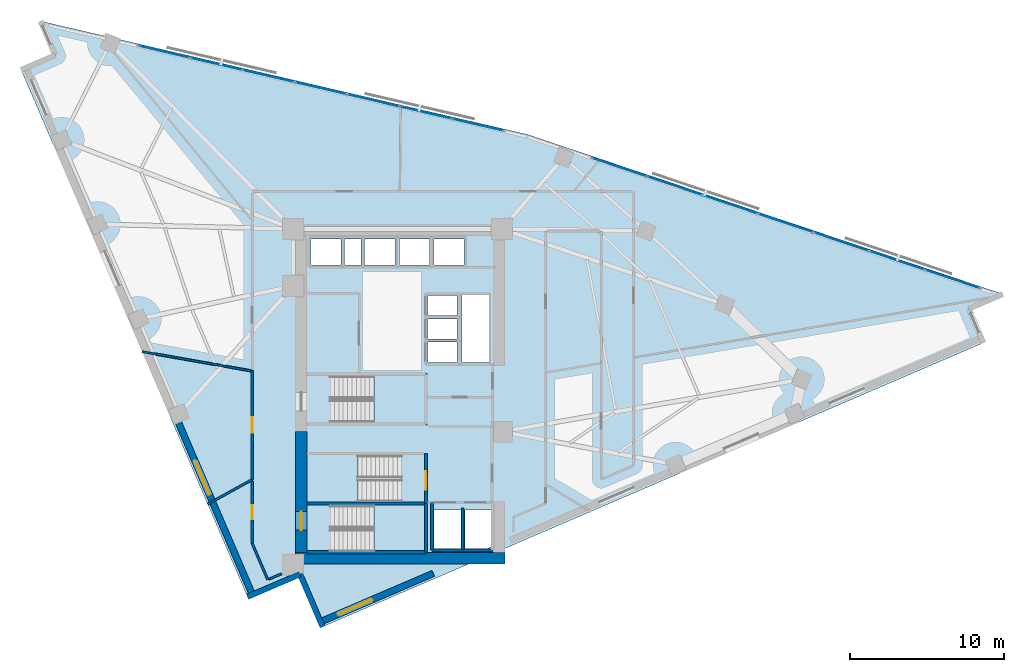
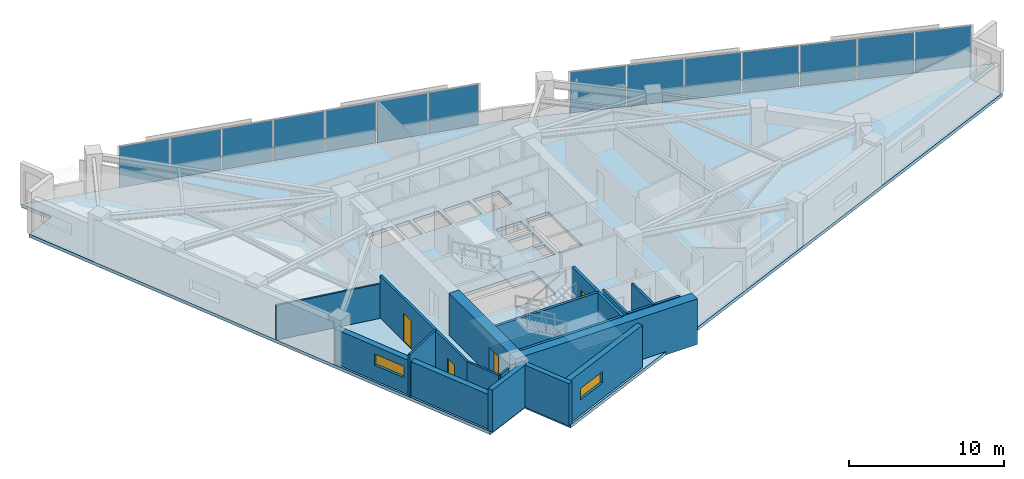
# One storey, part 8 of 14: 19 walls, 14 plates, 4 doors, 4 slabs, 2 windows, 6 openings, 5 elements without a shape of their own.
"""IFC4 building model written with IfcOpenShell, lengths in metres."""

from ifc_helpers import new_model, si_unit, direction, frame, frame_2d, origin, origin_2d, place, context, subcontext, project, spatial, polyline, rectangle, outline, extrude, material, layer, layer_set, type_object, element, fill, aggregate, save


model = new_model("IFC4")

# Units and contexts
model_context = context("Model", 3, precision=1e-05, world=origin(), true_north=direction((0.0, 1.0)))
body_context = subcontext(model_context, "Body", "Model", "MODEL_VIEW")
ifc_project = project(units=[si_unit("LENGTHUNIT", "METRE"), si_unit("AREAUNIT", "SQUARE_METRE"), si_unit("VOLUMEUNIT", "CUBIC_METRE"), si_unit("PLANEANGLEUNIT", "RADIAN"), si_unit("MASSUNIT", "GRAM", prefix="KILO")], contexts=[model_context])

# Site, building, storey
site_placement = place(None, origin())
site = spatial("IfcSite", under=ifc_project, at=site_placement, CompositionType="ELEMENT")
building_placement = place(site_placement, origin())
building = spatial("IfcBuilding", under=site, at=building_placement, Name="Narakoshi Arena Tower", CompositionType="ELEMENT")
storey_placement = place(building_placement, frame((0.0, 0.0, 168.300048828125)))
storey = spatial("IfcBuildingStorey", under=building, at=storey_placement, Name="L45", CompositionType="ELEMENT", Elevation=168.300048828125)

# Curtain wall, plates
ifc_material_1 = material(Name="Anodised bronze aluminium 6063-T6", Category="aluminium")
curtain_wall_type = type_object("IfcCurtainWallType", Name="CW-HYP-MID", PredefinedType="NOTDEFINED", material=ifc_material_1)
curtain_wall_1_placement = place(storey_placement, origin())
curtain_wall_1 = element("IfcCurtainWall", 1, at=curtain_wall_1_placement, inside=storey, type_object=curtain_wall_type, Name="L45 Folded Hypotenuse Curtain Wall 1-1", PredefinedType="NOTDEFINED")
ifc_material_2 = material(Name="Bronze-tinted low-E laminated glass", Category="glass")
ifc_layer_1 = layer(ifc_material_2, 0.0380859375)
ifc_layer_set_1 = layer_set([ifc_layer_1], Name="Bronze-tinted low-E laminated glass")
plate_type = type_object("IfcPlateType", Name="PLT-GLZ-38", PredefinedType="CURTAIN_PANEL", material=ifc_layer_set_1)
plate_1_placement = place(storey_placement, frame((114.78466796875, 53.2509765625, 0.06494140625), z_axis=(0.0, 0.0, 1.0), x_axis=(-0.948003144077, 0.318260960253, 0.0)))
plate_1 = element("IfcPlate", 2, at=plate_1_placement, type_object=plate_type, Name="CW-02 panel 1.1", PredefinedType="CURTAIN_PANEL", context=body_context, shape_type="SweptSolid", body=[
    extrude(rectangle(XDim=3.69287109375, YDim=0.0380859375, at=origin_2d()), origin(), (0.0, 0.0, 1.0), 3.2099609375),
])
plate_2_placement = place(storey_placement, frame((111.19482421875, 54.4560546875, 0.06494140625), z_axis=(0.0, 0.0, 1.0), x_axis=(-0.948003144077, 0.318260960253, 0.0)))
plate_2 = element("IfcPlate", 3, at=plate_2_placement, type_object=plate_type, Name="CW-02 panel 2.1", PredefinedType="CURTAIN_PANEL", context=body_context, shape_type="SweptSolid", body=[
    extrude(rectangle(XDim=3.73046875, YDim=0.0380859375, at=origin_2d()), origin(), (0.0, 0.0, 1.0), 3.2099609375),
])
plate_3_placement = place(storey_placement, frame((107.58740234375, 55.667236328125, 0.06494140625), z_axis=(0.0, 0.0, 1.0), x_axis=(-0.948003144077, 0.318260960253, 0.0)))
plate_3 = element("IfcPlate", 4, at=plate_3_placement, type_object=plate_type, Name="CW-02 panel 3.1", PredefinedType="CURTAIN_PANEL", context=body_context, shape_type="SweptSolid", body=[
    extrude(rectangle(XDim=3.73046875, YDim=0.0380859375, at=origin_2d()), origin(), (0.0, 0.0, 1.0), 3.2099609375),
])
plate_4_placement = place(storey_placement, frame((103.979736328125, 56.87841796875, 0.06494140625), z_axis=(0.0, 0.0, 1.0), x_axis=(-0.948003144077, 0.318260960253, 0.0)))
plate_4 = element("IfcPlate", 5, at=plate_4_placement, type_object=plate_type, Name="CW-02 panel 4.1", PredefinedType="CURTAIN_PANEL", context=body_context, shape_type="SweptSolid", body=[
    extrude(rectangle(XDim=3.73046875, YDim=0.0380859375, at=origin_2d()), origin(), (0.0, 0.0, 1.0), 3.2099609375),
])
plate_5_placement = place(storey_placement, frame((100.3720703125, 58.089599609375, 0.06494140625), z_axis=(0.0, 0.0, 1.0), x_axis=(-0.948003144077, 0.318260960253, 0.0)))
plate_5 = element("IfcPlate", 6, at=plate_5_placement, type_object=plate_type, Name="CW-02 panel 5.1", PredefinedType="CURTAIN_PANEL", context=body_context, shape_type="SweptSolid", body=[
    extrude(rectangle(XDim=3.73046875, YDim=0.0380859375, at=origin_2d()), origin(), (0.0, 0.0, 1.0), 3.2099609375),
])
plate_6_placement = place(storey_placement, frame((96.7646484375, 59.300537109375, 0.06494140625), z_axis=(0.0, 0.0, 1.0), x_axis=(-0.948003144077, 0.318260960253, 0.0)))
plate_6 = element("IfcPlate", 7, at=plate_6_placement, type_object=plate_type, Name="CW-02 panel 6.1", PredefinedType="CURTAIN_PANEL", context=body_context, shape_type="SweptSolid", body=[
    extrude(rectangle(XDim=3.73046875, YDim=0.0380859375, at=origin_2d()), origin(), (0.0, 0.0, 1.0), 3.2099609375),
])
plate_7_placement = place(storey_placement, frame((93.1748046875, 60.505859375, 0.06494140625), z_axis=(0.0, 0.0, 1.0), x_axis=(-0.948003144077, 0.318260960253, 0.0)))
plate_7 = element("IfcPlate", 8, at=plate_7_placement, type_object=plate_type, Name="CW-02 panel 7.1", PredefinedType="CURTAIN_PANEL", context=body_context, shape_type="SweptSolid", body=[
    extrude(rectangle(XDim=3.69287109375, YDim=0.0380859375, at=origin_2d()), origin(), (0.0, 0.0, 1.0), 3.2099609375),
])
aggregate(curtain_wall_1, [plate_1, plate_2, plate_3, plate_4, plate_5, plate_6, plate_7])

curtain_wall_2_placement = place(storey_placement, origin())
curtain_wall_2 = element("IfcCurtainWall", 9, at=curtain_wall_2_placement, inside=storey, type_object=curtain_wall_type, Name="L45 Folded Hypotenuse Curtain Wall 2-1", PredefinedType="NOTDEFINED")
plate_8_placement = place(storey_placement, frame((83.994384765625, 63.260986328125, 0.06494140625), z_axis=(0.0, 0.0, 1.0), x_axis=(-0.973959704148, 0.226721182724, 0.0)))
plate_8 = element("IfcPlate", 10, at=plate_8_placement, type_object=plate_type, Name="CW-02 panel 1.1", PredefinedType="CURTAIN_PANEL", context=body_context, shape_type="SweptSolid", body=[
    extrude(rectangle(XDim=3.37939453125, YDim=0.0380859375, at=origin_2d()), origin(), (0.0, 0.0, 1.0), 3.2099609375),
])
plate_9_placement = place(storey_placement, frame((80.61181640625, 64.048583984375, 0.06494140625), z_axis=(0.0, 0.0, 1.0), x_axis=(-0.973959704148, 0.226721182724, 0.0)))
plate_9 = element("IfcPlate", 11, at=plate_9_placement, type_object=plate_type, Name="CW-02 panel 2.1", PredefinedType="CURTAIN_PANEL", context=body_context, shape_type="SweptSolid", body=[
    extrude(rectangle(XDim=3.416748046875, YDim=0.0380859375, at=origin_2d()), origin(), (0.0, 0.0, 1.0), 3.2099609375),
])
plate_10_placement = place(storey_placement, frame((77.2109375, 64.840087890625, 0.06494140625), z_axis=(0.0, 0.0, 1.0), x_axis=(-0.973959704148, 0.226721182724, 0.0)))
plate_10 = element("IfcPlate", 12, at=plate_10_placement, type_object=plate_type, Name="CW-02 panel 3.1", PredefinedType="CURTAIN_PANEL", context=body_context, shape_type="SweptSolid", body=[
    extrude(rectangle(XDim=3.416748046875, YDim=0.0380859375, at=origin_2d()), origin(), (0.0, 0.0, 1.0), 3.2099609375),
])
plate_11_placement = place(storey_placement, frame((73.81005859375, 65.6318359375, 0.06494140625), z_axis=(0.0, 0.0, 1.0), x_axis=(-0.973959704148, 0.226721182724, 0.0)))
plate_11 = element("IfcPlate", 13, at=plate_11_placement, type_object=plate_type, Name="CW-02 panel 4.1", PredefinedType="CURTAIN_PANEL", context=body_context, shape_type="SweptSolid", body=[
    extrude(rectangle(XDim=3.416748046875, YDim=0.0380859375, at=origin_2d()), origin(), (0.0, 0.0, 1.0), 3.2099609375),
])
plate_12_placement = place(storey_placement, frame((70.4091796875, 66.423583984375, 0.06494140625), z_axis=(0.0, 0.0, 1.0), x_axis=(-0.973959704148, 0.226721182724, 0.0)))
plate_12 = element("IfcPlate", 14, at=plate_12_placement, type_object=plate_type, Name="CW-02 panel 5.1", PredefinedType="CURTAIN_PANEL", context=body_context, shape_type="SweptSolid", body=[
    extrude(rectangle(XDim=3.416748046875, YDim=0.0380859375, at=origin_2d()), origin(), (0.0, 0.0, 1.0), 3.2099609375),
])
plate_13_placement = place(storey_placement, frame((67.00830078125, 67.215087890625, 0.06494140625), z_axis=(0.0, 0.0, 1.0), x_axis=(-0.973959704148, 0.226721182724, 0.0)))
plate_13 = element("IfcPlate", 15, at=plate_13_placement, type_object=plate_type, Name="CW-02 panel 6.1", PredefinedType="CURTAIN_PANEL", context=body_context, shape_type="SweptSolid", body=[
    extrude(rectangle(XDim=3.416748046875, YDim=0.0380859375, at=origin_2d()), origin(), (0.0, 0.0, 1.0), 3.2099609375),
])
plate_14_placement = place(storey_placement, frame((63.625732421875, 68.002685546875, 0.06494140625), z_axis=(0.0, 0.0, 1.0), x_axis=(-0.973959704148, 0.226721182724, 0.0)))
plate_14 = element("IfcPlate", 16, at=plate_14_placement, type_object=plate_type, Name="CW-02 panel 7.1", PredefinedType="CURTAIN_PANEL", context=body_context, shape_type="SweptSolid", body=[
    extrude(rectangle(XDim=3.37939453125, YDim=0.0380859375, at=origin_2d()), origin(), (0.0, 0.0, 1.0), 3.2099609375),
])
aggregate(curtain_wall_2, [plate_8, plate_9, plate_10, plate_11, plate_12, plate_13, plate_14])

# Stair, slab
ifc_material_3 = material(Name="Concrete C45/55", Category="concrete")
stair_type = type_object("IfcStairType", Name="STR-CORE-360", PredefinedType="TWO_STRAIGHT_RUN_STAIR", material=ifc_material_3)
stair_1_placement = place(storey_placement, origin())
stair_1 = element("IfcStair", 17, at=stair_1_placement, inside=storey, type_object=stair_type, Name="L45 Core Escape Stair ST1", PredefinedType="TWO_STRAIGHT_RUN_STAIR")
ifc_layer_2 = layer(ifc_material_3, 0.18994140625)
ifc_layer_set_2 = layer_set([ifc_layer_2], Name="Concrete C45/55")
slab_type_1 = type_object("IfcSlabType", Name="SLB-LND-190", PredefinedType="LANDING", material=ifc_layer_set_2)
slab_1_placement = place(storey_placement, frame((0.0, 0.0, 1.60986328125)))
slab_1 = element("IfcSlab", 18, at=slab_1_placement, type_object=slab_type_1, Name="ST1 landing 1", PredefinedType="LANDING", context=body_context, shape_type="SweptSolid", body=[
    extrude(outline(polyline([(77.25, 35.3701171875), (80.679931640625, 35.3701171875), (80.679931640625, 38.72998046875), (77.25, 38.72998046875), (77.25, 35.3701171875)])), origin(), (0.0, 0.0, 1.0), 0.190185546875),
])
aggregate(stair_1, [slab_1])

stair_2_placement = place(storey_placement, origin())
stair_2 = element("IfcStair", 19, at=stair_2_placement, inside=storey, type_object=stair_type, Name="L45 Core Escape Stair ST2", PredefinedType="TWO_STRAIGHT_RUN_STAIR")
slab_2_placement = place(storey_placement, frame((0.0, 0.0, 1.60986328125)))
slab_2 = element("IfcSlab", 20, at=slab_2_placement, type_object=slab_type_1, Name="ST2 landing 1", PredefinedType="LANDING", context=body_context, shape_type="SweptSolid", body=[
    extrude(outline(polyline([(72.77001953125, 38.6201171875), (76.199951171875, 38.6201171875), (76.199951171875, 41.97998046875), (72.77001953125, 41.97998046875), (72.77001953125, 38.6201171875)])), origin(), (0.0, 0.0, 1.0), 0.190185546875),
])
aggregate(stair_2, [slab_2])

stair_3_placement = place(storey_placement, origin())
stair_3 = element("IfcStair", 21, at=stair_3_placement, inside=storey, type_object=stair_type, Name="L45 Core Escape Stair ST3", PredefinedType="TWO_STRAIGHT_RUN_STAIR")
slab_3_placement = place(storey_placement, frame((0.0, 0.0, 1.60986328125)))
slab_3 = element("IfcSlab", 22, at=slab_3_placement, type_object=slab_type_1, Name="ST3 landing 1", PredefinedType="LANDING", context=body_context, shape_type="SweptSolid", body=[
    extrude(outline(polyline([(77.25, 43.77001953125), (80.679931640625, 43.77001953125), (80.679931640625, 47.1298828125), (77.25, 47.1298828125), (77.25, 43.77001953125)])), origin(), (0.0, 0.0, 1.0), 0.190185546875),
])
aggregate(stair_3, [slab_3])

# Slab
ifc_material_4 = material(Name="Concrete C50/60", Category="concrete")
ifc_layer_3 = layer(ifc_material_4, 0.260009765625)
ifc_layer_set_3 = layer_set([ifc_layer_3], Name="Concrete C50/60")
slab_type_2 = type_object("IfcSlabType", Name="SLB-SKY-260", PredefinedType="FLOOR", material=ifc_layer_set_3)
slab_4_placement = place(storey_placement, frame((0.0, 0.0, -0.260009765625)))
element("IfcSlab", 23, at=slab_4_placement, inside=storey, type_object=slab_type_2, Name="L45 Structural Floor Slab", PredefinedType="FLOOR", context=body_context, shape_type="SweptSolid", body=[
    extrude(outline(polyline([(73.9169921875, 30.68115234375), (116.8017578125, 49.105712890625), (115.84912109375, 51.3232421875), (118.06640625, 52.27587890625), (87.201416015625, 62.6376953125), (55.614013671875, 69.99072265625), (56.56640625, 67.7734375), (54.34912109375, 66.82080078125), (69.0400390625, 32.626708984375), (72.451416015625, 34.09228515625), (73.9169921875, 30.68115234375)]), holes=[polyline([(80.5, 35.550048828125), (74.47998046875, 35.550048828125), (74.47998046875, 38.550048828125), (80.5, 38.550048828125), (80.5, 35.550048828125)]), polyline([(82.89990234375, 35.75), (81.14990234375, 35.75), (81.14990234375, 38.25), (82.89990234375, 38.25), (82.89990234375, 35.75)]), polyline([(84.5751953125, 35.75), (83.14990234375, 35.75), (83.14990234375, 38.25), (84.89990234375, 38.25), (84.89990234375, 35.889404296875), (84.5751953125, 35.75)]), polyline([(72.949951171875, 38.800048828125), (72.949951171875, 41.800048828125), (78.969970703125, 41.800048828125), (78.969970703125, 38.800048828125), (72.949951171875, 38.800048828125)]), polyline([(74.47998046875, 43.949951171875), (74.47998046875, 46.949951171875), (80.5, 46.949951171875), (80.5, 43.949951171875), (74.47998046875, 43.949951171875)]), polyline([(82.949951171875, 47.840087890625), (82.949951171875, 52.199951171875), (84.699951171875, 52.199951171875), (84.699951171875, 47.840087890625), (82.949951171875, 47.840087890625)]), polyline([(80.75, 47.85009765625), (80.75, 49.14990234375), (82.64990234375, 49.14990234375), (82.64990234375, 47.85009765625), (80.75, 47.85009765625)]), polyline([(80.75, 49.3701171875), (80.75, 50.669921875), (82.64990234375, 50.669921875), (82.64990234375, 49.3701171875), (80.75, 49.3701171875)]), polyline([(80.75, 50.889892578125), (80.75, 52.18994140625), (82.64990234375, 52.18994140625), (82.64990234375, 50.889892578125), (80.75, 50.889892578125)]), polyline([(73.14990234375, 54.14990234375), (73.14990234375, 55.85009765625), (75.10009765625, 55.85009765625), (75.10009765625, 54.14990234375), (73.14990234375, 54.14990234375)]), polyline([(75.35009765625, 54.14990234375), (75.35009765625, 55.85009765625), (76.39990234375, 55.85009765625), (76.39990234375, 54.14990234375), (75.35009765625, 54.14990234375)]), polyline([(76.64990234375, 54.14990234375), (76.64990234375, 55.85009765625), (78.60009765625, 55.85009765625), (78.60009765625, 54.14990234375), (76.64990234375, 54.14990234375)]), polyline([(78.89990234375, 54.14990234375), (78.89990234375, 55.85009765625), (80.85009765625, 55.85009765625), (80.85009765625, 54.14990234375), (78.89990234375, 54.14990234375)]), polyline([(81.14990234375, 54.14990234375), (81.14990234375, 55.85009765625), (83.10009765625, 55.85009765625), (83.10009765625, 54.14990234375), (81.14990234375, 54.14990234375)])]), origin(), (0.0, 0.0, 1.0), 0.260009765625),
])

# Wall, opening, door
ifc_layer_4 = layer(ifc_material_4, 0.75)
ifc_layer_set_4 = layer_set([ifc_layer_4], Name="Concrete C50/60")
wall_type_1 = type_object("IfcWallType", Name="WL-CORE-750", PredefinedType="SHEAR", material=ifc_layer_set_4)
wall_1_placement = place(storey_placement, frame((72.52490234375, 35.5, -0.260009765625), z_axis=(0.0, 0.0, 1.0), x_axis=(0.0, 1.0, 0.0)))
wall_1 = element("IfcWall", 24, at=wall_1_placement, inside=storey, type_object=wall_type_1, Name="L45 Central Core Shear Wall CW-APX-W", PredefinedType="SHEAR", context=body_context, shape_type="SweptSolid", body=[
    extrude(rectangle(XDim=7.85009765625, YDim=0.75, at=frame_2d((3.925048828125, 0.0))), origin(), (0.0, 0.0, 1.0), 3.599853515625),
])
opening_1_placement = place(wall_1_placement, frame((1.449951171875, 0.0, 0.260009765625)))
opening_1 = element("IfcOpeningElement", 25, at=opening_1_placement, cuts=wall_1, Name="Opening D-03", PredefinedType="OPENING", context=body_context, shape_type="SweptSolid", body=[
    extrude(rectangle(XDim=1.199951171875, YDim=2.199951171875, at=frame_2d((0.60009765625, 1.10009765625))), frame((0.0, 0.385009765625, 0.0), z_axis=(0.0, -1.0, 0.0), x_axis=(1.0, 0.0, 0.0)), (0.0, 0.0, 1.0), 0.77001953125),
])
ifc_material_5 = material(Name="Painted galvanized steel", Category="steel")
door_type_1 = type_object("IfcDoorType", Name="DR-STR-1200", OperationType="NOTDEFINED", PredefinedType="USERDEFINED", material=ifc_material_5)
door_1_placement = place(opening_1_placement, frame((1.199951171875, 0.0, 0.0), z_axis=(0.0, 0.0, 1.0), x_axis=(-1.0, 0.0, 0.0)))
door_1 = element("IfcDoor", 26, at=door_1_placement, inside=storey, type_object=door_type_1, Name="DR-L45-001", ObjectType="EXITDOOR", OperationType="SINGLE_SWING_LEFT", OverallHeight=2.199951171875, OverallWidth=1.199951171875, PredefinedType="USERDEFINED", context=body_context, shape_type="SweptSolid", body=[
    extrude(rectangle(XDim=1.199951171875, YDim=2.199951171875, at=frame_2d((0.60009765625, 1.10009765625))), frame((0.0, 0.02490234375, 0.0), z_axis=(0.0, -1.0, 0.0), x_axis=(1.0, 0.0, 0.0)), (0.0, 0.0, 1.0), 0.050048828125),
])
fill(opening_1, door_1)

# Wall
wall_2_placement = place(storey_placement, frame((72.14990234375, 35.125, -0.260009765625), z_axis=(0.0, 0.0, 1.0), x_axis=(1.0, 0.0, 0.0)))
element("IfcWall", 27, at=wall_2_placement, inside=storey, type_object=wall_type_1, Name="L45 Central Core Shear Wall CW-APX-S", PredefinedType="SHEAR", context=body_context, shape_type="SweptSolid", body=[
    extrude(rectangle(XDim=13.60009765625, YDim=0.75, at=frame_2d((6.800048828125, 0.0))), origin(), (0.0, 0.0, 1.0), 3.599853515625),
])

# Wall, opening, door
ifc_material_6 = material(Name="Gypsum plasterboard fire-rated partition")
ifc_layer_5 = layer(ifc_material_6, 0.1650390625)
ifc_layer_set_5 = layer_set([ifc_layer_5], Name="Gypsum plasterboard fire-rated partition")
wall_type_2 = type_object("IfcWallType", Name="WL-CORR-165", PredefinedType="PARTITIONING", material=ifc_layer_set_5)
wall_3_placement = place(storey_placement, frame((69.353759765625, 47.31298828125, 0.0), z_axis=(0.0, 0.0, 1.0), x_axis=(0.0, -1.0, 0.0)))
wall_3 = element("IfcWall", 28, at=wall_3_placement, inside=storey, type_object=wall_type_2, Name="L45 Corridor Partition 01-1", PredefinedType="PARTITIONING", context=body_context, shape_type="SweptSolid", body=[
    extrude(rectangle(XDim=7.076171875, YDim=0.1650390625, at=frame_2d((3.5380859375, 0.0))), origin(), (0.0, 0.0, 1.0), 3.33984375),
])
opening_2_placement = place(wall_3_placement, frame((3.0380859375, 0.0, 0.0)))
opening_2 = element("IfcOpeningElement", 29, at=opening_2_placement, cuts=wall_3, Name="Opening D-06", PredefinedType="OPENING", context=body_context, shape_type="SweptSolid", body=[
    extrude(rectangle(XDim=1.0, YDim=2.199951171875, at=frame_2d((0.5, 1.10009765625))), frame((0.0, 0.092529296875, 0.0), z_axis=(0.0, -1.0, 0.0), x_axis=(1.0, 0.0, 0.0)), (0.0, 0.0, 1.0), 0.18505859375),
])
ifc_material_7 = material(Name="Stained oak solid-core timber", Category="wood")
door_type_2 = type_object("IfcDoorType", Name="DR-OFF-1000", OperationType="NOTDEFINED", PredefinedType="DOOR", material=ifc_material_7)
door_2_placement = place(opening_2_placement, frame((1.0, 0.0, 0.0), z_axis=(0.0, 0.0, 1.0), x_axis=(-1.0, 0.0, 0.0)))
door_2 = element("IfcDoor", 30, at=door_2_placement, inside=storey, type_object=door_type_2, Name="DR-L45-013", OperationType="SINGLE_SWING_LEFT", OverallHeight=2.199951171875, OverallWidth=1.0, PredefinedType="DOOR", context=body_context, shape_type="SweptSolid", body=[
    extrude(rectangle(XDim=1.0, YDim=2.199951171875, at=frame_2d((0.5, 1.10009765625))), frame((0.0, 0.02490234375, 0.0), z_axis=(0.0, -1.0, 0.0), x_axis=(1.0, 0.0, 0.0)), (0.0, 0.0, 1.0), 0.050048828125),
])
fill(opening_2, door_2)

# Wall
ifc_layer_6 = layer(ifc_material_6, 0.125)
ifc_layer_set_6 = layer_set([ifc_layer_6], Name="Gypsum plasterboard fire-rated partition")
wall_type_3 = type_object("IfcWallType", Name="WL-PART-125", PredefinedType="PARTITIONING", material=ifc_layer_set_6)
wall_4_placement = place(storey_placement, frame((62.20458984375, 48.537109375, 0.0), z_axis=(0.0, 0.0, 1.0), x_axis=(0.984831898724, -0.173511184815, 0.0)))
element("IfcWall", 31, at=wall_4_placement, inside=storey, type_object=wall_type_3, Name="L45 Inter-Room Partition 01-09", PredefinedType="PARTITIONING", context=body_context, shape_type="SweptSolid", body=[
    extrude(rectangle(XDim=7.163330078125, YDim=0.125, at=frame_2d((3.58154296875, 0.0))), origin(), (0.0, 0.0, 1.0), 2.724853515625),
])

# Wall, opening, window
ifc_material_8 = material(Name="Precast concrete C45/55", Category="concrete")
ifc_layer_7 = layer(ifc_material_8, 0.419921875)
ifc_layer_set_7 = layer_set([ifc_layer_7], Name="Precast concrete C45/55")
wall_type_4 = type_object("IfcWallType", Name="WL-POD-420", PredefinedType="SOLIDWALL", material=ifc_layer_set_7)
wall_5_placement = place(storey_placement, frame((73.77880859375, 31.002685546875, 0.0), z_axis=(0.0, 0.0, 1.0), x_axis=(0.918797817688, 0.394728476565, 0.0)))
wall_5 = element("IfcWall", 32, at=wall_5_placement, inside=storey, type_object=wall_type_4, Name="L45 Architectural Concrete Facade Wall LEGA-1", PredefinedType="SOLIDWALL", context=body_context, shape_type="SweptSolid", body=[
    extrude(rectangle(XDim=7.97314453125, YDim=0.419921875, at=frame_2d((3.986572265625, 0.0))), origin(), (0.0, 0.0, 1.0), 3.33984375),
])
opening_3_placement = place(wall_5_placement, frame((1.234130859375, 0.0, 1.199951171875)))
opening_3 = element("IfcOpeningElement", 33, at=opening_3_placement, cuts=wall_5, Name="Opening WN-01", PredefinedType="OPENING", context=body_context, shape_type="SweptSolid", body=[
    extrude(rectangle(XDim=2.39990234375, YDim=0.89990234375, at=frame_2d((1.199951171875, 0.449951171875))), frame((0.0, 0.219970703125, 0.0), z_axis=(0.0, -1.0, 0.0), x_axis=(1.0, 0.0, 0.0)), (0.0, 0.0, 1.0), 0.43994140625),
])
window_type = type_object("IfcWindowType", Name="WIN-SLT-24x09", PartitioningType="SINGLE_PANEL", PredefinedType="WINDOW", material=ifc_material_2)
window_1_placement = place(opening_3_placement, origin())
window_1 = element("IfcWindow", 34, at=window_1_placement, inside=storey, type_object=window_type, Name="L45 LEGA1 Horizontal Slot Window 1", OverallHeight=0.89990234375, OverallWidth=2.39990234375, PartitioningType="SINGLE_PANEL", PredefinedType="WINDOW", context=body_context, shape_type="SweptSolid", body=[
    extrude(rectangle(XDim=2.39990234375, YDim=0.89990234375, at=frame_2d((1.199951171875, 0.449951171875))), frame((0.0, 0.030029296875, 0.0), z_axis=(0.0, -1.0, 0.0), x_axis=(1.0, 0.0, 0.0)), (0.0, 0.0, 1.0), 0.06005859375),
])
fill(opening_3, window_1)

wall_6_placement = place(storey_placement, frame((64.36669921875, 44.390869140625, 0.0), z_axis=(0.0, 0.0, 1.0), x_axis=(0.394757430431, -0.918785378159, 0.0)))
wall_6 = element("IfcWall", 35, at=wall_6_placement, inside=storey, type_object=wall_type_4, Name="L45 Architectural Concrete Facade Wall LEGB-3", PredefinedType="SOLIDWALL", context=body_context, shape_type="SweptSolid", body=[
    extrude(rectangle(XDim=12.653564453125, YDim=0.419921875, at=frame_2d((6.32666015625, 0.0))), origin(), (0.0, 0.0, 1.0), 2.724853515625),
])
opening_4_placement = place(wall_6_placement, frame((3.193115234375, 0.0, 1.199951171875)))
opening_4 = element("IfcOpeningElement", 36, at=opening_4_placement, cuts=wall_6, Name="Opening WN-01", PredefinedType="OPENING", context=body_context, shape_type="SweptSolid", body=[
    extrude(rectangle(XDim=2.39990234375, YDim=0.89990234375, at=frame_2d((1.199951171875, 0.449951171875))), frame((0.0, 0.219970703125, 0.0), z_axis=(0.0, -1.0, 0.0), x_axis=(1.0, 0.0, 0.0)), (0.0, 0.0, 1.0), 0.43994140625),
])
window_2_placement = place(opening_4_placement, origin())
window_2 = element("IfcWindow", 37, at=window_2_placement, inside=storey, type_object=window_type, Name="L45 LEGB3 Horizontal Slot Window 1", OverallHeight=0.89990234375, OverallWidth=2.39990234375, PartitioningType="SINGLE_PANEL", PredefinedType="WINDOW", context=body_context, shape_type="SweptSolid", body=[
    extrude(rectangle(XDim=2.39990234375, YDim=0.89990234375, at=frame_2d((1.199951171875, 0.449951171875))), frame((0.0, 0.030029296875, 0.0), z_axis=(0.0, -1.0, 0.0), x_axis=(1.0, 0.0, 0.0)), (0.0, 0.0, 1.0), 0.06005859375),
])
fill(opening_4, window_2)

# Walls
wall_7_placement = place(storey_placement, frame((69.0400390625, 32.626708984375, 0.0), z_axis=(0.0, 0.0, 1.0), x_axis=(0.91879775808, 0.394728615312, 0.0)))
element("IfcWall", 38, at=wall_7_placement, inside=storey, type_object=wall_type_4, Name="L45 Re-Entrant Corner Notch Wall NTA-1", PredefinedType="SOLIDWALL", context=body_context, shape_type="SweptSolid", body=[
    extrude(rectangle(XDim=3.712890625, YDim=0.360107421875, at=frame_2d((1.8564453125, 0.0))), origin(), (0.0, 0.0, 1.0), 3.33984375),
])
wall_8_placement = place(storey_placement, frame((72.451416015625, 34.09228515625, 0.0), z_axis=(0.0, 0.0, 1.0), x_axis=(0.394752464447, -0.918787511786, 0.0)))
element("IfcWall", 39, at=wall_8_placement, inside=storey, type_object=wall_type_4, Name="L45 Re-Entrant Corner Notch Wall NTA-2", PredefinedType="SOLIDWALL", context=body_context, shape_type="SweptSolid", body=[
    extrude(rectangle(XDim=3.712646484375, YDim=0.360107421875, at=frame_2d((1.8564453125, 0.0))), origin(), (0.0, 0.0, 1.0), 3.33984375),
])
ifc_material_9 = material(Name="Concrete C40/50", Category="concrete")
ifc_layer_8 = layer(ifc_material_9, 0.280029296875)
ifc_layer_set_8 = layer_set([ifc_layer_8], Name="Concrete C40/50")
wall_type_5 = type_object("IfcWallType", Name="WL-RISER-280", PredefinedType="PLUMBINGWALL", material=ifc_layer_set_8)
wall_9_placement = place(storey_placement, frame((83.0, 35.64990234375, 0.0), z_axis=(0.0, 0.0, 1.0), x_axis=(0.0, 1.0, 0.0)))
element("IfcWall", 40, at=wall_9_placement, inside=storey, type_object=wall_type_5, Name="L45 Core Wall FF-DIV", PredefinedType="PLUMBINGWALL", context=body_context, shape_type="SweptSolid", body=[
    extrude(rectangle(XDim=2.75, YDim=0.159912109375, at=frame_2d((1.375, 0.0))), origin(), (0.0, 0.0, 1.0), 3.33984375),
])
ifc_layer_9 = layer(ifc_material_4, 0.35009765625)
ifc_layer_set_9 = layer_set([ifc_layer_9], Name="Concrete C50/60")
wall_type_6 = type_object("IfcWallType", Name="WL-SHAFT-350", PredefinedType="SOLIDWALL", material=ifc_layer_set_9)
for number, where, z_axis, x_axis, name in (
    (41, (72.919921875, 35.52001953125, -0.260009765625), (0.0, 0.0, 1.0), (1.0, 0.0, 0.0), "L45 Core Wall ST1-S"),
    (42, (72.919921875, 38.675048828125, -0.260009765625), (0.0, 0.0, 1.0), (1.0, 0.0, 0.0), "L45 Core Wall ST12-DIV"),
):
    element("IfcWall", number, at=place(storey_placement, frame(where, z_axis=z_axis, x_axis=x_axis)), inside=storey, type_object=wall_type_6, Name=name, PredefinedType="SOLIDWALL", context=body_context, shape_type="SweptSolid", body=[
        extrude(rectangle(XDim=7.7001953125, YDim=0.199951171875, at=frame_2d((3.85009765625, 0.0))), origin(), (0.0, 0.0, 1.0), 3.599853515625),
    ])
wall_10_placement = place(storey_placement, frame((80.6201171875, 35.52001953125, -0.260009765625), z_axis=(0.0, 0.0, 1.0), x_axis=(0.0, 1.0, 0.0)))
element("IfcWall", 43, at=wall_10_placement, inside=storey, type_object=wall_type_6, Name="L45 Core Wall ST1-E", PredefinedType="SOLIDWALL", context=body_context, shape_type="SweptSolid", body=[
    extrude(rectangle(XDim=3.155029296875, YDim=0.199951171875, at=frame_2d((1.57763671875, 0.0))), origin(), (0.0, 0.0, 1.0), 3.599853515625),
])

# Wall, opening, door
wall_11_placement = place(storey_placement, frame((80.6201171875, 38.675048828125, -0.260009765625), z_axis=(0.0, 0.0, 1.0), x_axis=(0.0, 1.0, 0.0)))
wall_11 = element("IfcWall", 44, at=wall_11_placement, inside=storey, type_object=wall_type_6, Name="L45 Core Wall ST2-E", PredefinedType="SOLIDWALL", context=body_context, shape_type="SweptSolid", body=[
    extrude(rectangle(XDim=3.244873046875, YDim=0.199951171875, at=frame_2d((1.62255859375, 0.0))), origin(), (0.0, 0.0, 1.0), 3.599853515625),
])
opening_5_placement = place(wall_11_placement, frame((0.89990234375, 0.0, 0.260009765625)))
opening_5 = element("IfcOpeningElement", 45, at=opening_5_placement, cuts=wall_11, Name="Opening D-03", PredefinedType="OPENING", context=body_context, shape_type="SweptSolid", body=[
    extrude(rectangle(XDim=1.199951171875, YDim=2.199951171875, at=frame_2d((0.60009765625, 1.10009765625))), frame((0.0, 0.10986328125, 0.0), z_axis=(0.0, -1.0, 0.0), x_axis=(1.0, 0.0, 0.0)), (0.0, 0.0, 1.0), 0.219970703125),
])
door_3_placement = place(opening_5_placement, origin())
door_3 = element("IfcDoor", 46, at=door_3_placement, inside=storey, type_object=door_type_1, Name="DR-L45-002", ObjectType="EXITDOOR", OperationType="SINGLE_SWING_RIGHT", OverallHeight=2.199951171875, OverallWidth=1.199951171875, PredefinedType="USERDEFINED", context=body_context, shape_type="SweptSolid", body=[
    extrude(rectangle(XDim=1.199951171875, YDim=2.199951171875, at=frame_2d((0.60009765625, 1.10009765625))), frame((0.0, 0.02490234375, 0.0), z_axis=(0.0, -1.0, 0.0), x_axis=(1.0, 0.0, 0.0)), (0.0, 0.0, 1.0), 0.050048828125),
])
fill(opening_5, door_3)

# Walls
wall_12_placement = place(storey_placement, frame((81.02001953125, 35.64990234375, 0.0), z_axis=(0.0, 0.0, 1.0), x_axis=(0.0, 1.0, 0.0)))
element("IfcWall", 47, at=wall_12_placement, inside=storey, type_object=wall_type_6, Name="L45 Core Wall FF-W", PredefinedType="SOLIDWALL", context=body_context, shape_type="SweptSolid", body=[
    extrude(rectangle(XDim=3.10009765625, YDim=0.179931640625, at=frame_2d((1.550048828125, 0.0))), origin(), (0.0, 0.0, 1.0), 3.33984375),
])
wall_13_placement = place(storey_placement, frame((81.02001953125, 35.64990234375, 0.0), z_axis=(0.0, 0.0, 1.0), x_axis=(1.0, 0.0, 0.0)))
element("IfcWall", 48, at=wall_13_placement, inside=storey, type_object=wall_type_6, Name="L45 Core Wall FF-S", PredefinedType="SOLIDWALL", context=body_context, shape_type="SweptSolid", body=[
    extrude(rectangle(XDim=3.929931640625, YDim=0.179931640625, at=frame_2d((1.96484375, 0.0))), origin(), (0.0, 0.0, 1.0), 3.33984375),
])
ifc_material_10 = material(Name="Moisture-resistant cement-board partition")
ifc_layer_10 = layer(ifc_material_10, 0.14501953125)
ifc_layer_set_10 = layer_set([ifc_layer_10], Name="Moisture-resistant cement-board partition")
wall_type_7 = type_object("IfcWallType", Name="WL-WET-145", PredefinedType="PARTITIONING", material=ifc_layer_set_10)
wall_14_placement = place(storey_placement, frame((69.353759765625, 40.23681640625, 0.0), z_axis=(0.0, 0.0, 1.0), x_axis=(-0.875694982611, -0.482864678175, 0.0)))
element("IfcWall", 49, at=wall_14_placement, inside=storey, type_object=wall_type_7, Name="L45 Inter-Room Partition 01-02", PredefinedType="PARTITIONING", context=body_context, shape_type="SweptSolid", body=[
    extrude(rectangle(XDim=3.30810546875, YDim=0.14501953125, at=frame_2d((1.654052734375, 0.0))), origin(), (0.0, 0.0, 1.0), 3.33984375),
])

# Wall, opening, door
wall_15_placement = place(storey_placement, frame((69.353759765625, 40.14013671875, 0.0), z_axis=(0.0, 0.0, 1.0), x_axis=(0.0, -1.0, 0.0)))
wall_15 = element("IfcWall", 50, at=wall_15_placement, inside=storey, type_object=wall_type_7, Name="L45 Corridor Partition 02-1", PredefinedType="PARTITIONING", context=body_context, shape_type="SweptSolid", body=[
    extrude(rectangle(XDim=4.0634765625, YDim=0.14501953125, at=frame_2d((2.03173828125, 0.0))), origin(), (0.0, 0.0, 1.0), 3.33984375),
])
opening_6_placement = place(wall_15_placement, frame((1.581787109375, 0.0, 0.0)))
opening_6 = element("IfcOpeningElement", 51, at=opening_6_placement, cuts=wall_15, Name="Opening D-08", PredefinedType="OPENING", context=body_context, shape_type="SweptSolid", body=[
    extrude(rectangle(XDim=0.89990234375, YDim=2.10009765625, at=frame_2d((0.449951171875, 1.050048828125))), frame((0.0, 0.08251953125, 0.0), z_axis=(0.0, -1.0, 0.0), x_axis=(1.0, 0.0, 0.0)), (0.0, 0.0, 1.0), 0.1650390625),
])
ifc_material_11 = material(Name="Moisture-resistant laminate timber", Category="wood")
door_type_3 = type_object("IfcDoorType", Name="DR-WC-900", OperationType="NOTDEFINED", PredefinedType="DOOR", material=ifc_material_11)
door_4_placement = place(opening_6_placement, frame((0.89990234375, 0.0, 0.0), z_axis=(0.0, 0.0, 1.0), x_axis=(-1.0, 0.0, 0.0)))
door_4 = element("IfcDoor", 52, at=door_4_placement, inside=storey, type_object=door_type_3, Name="DR-L45-014", OperationType="SINGLE_SWING_LEFT", OverallHeight=2.10009765625, OverallWidth=0.89990234375, PredefinedType="DOOR", context=body_context, shape_type="SweptSolid", body=[
    extrude(rectangle(XDim=0.89990234375, YDim=2.10009765625, at=frame_2d((0.449951171875, 1.050048828125))), frame((0.0, 0.02490234375, 0.0), z_axis=(0.0, -1.0, 0.0), x_axis=(1.0, 0.0, 0.0)), (0.0, 0.0, 1.0), 0.050048828125),
])
fill(opening_6, door_4)

# Walls
wall_16_placement = place(storey_placement, frame((69.353759765625, 36.07666015625, 0.0), z_axis=(0.0, 0.0, 1.0), x_axis=(0.39471775196, -0.918802425055, 0.0)))
element("IfcWall", 53, at=wall_16_placement, inside=storey, type_object=wall_type_7, Name="L45 Corridor Partition 02-2", PredefinedType="PARTITIONING", context=body_context, shape_type="SweptSolid", body=[
    extrude(rectangle(XDim=2.5458984375, YDim=0.14501953125, at=frame_2d((1.27294921875, 0.0))), origin(), (0.0, 0.0, 1.0), 3.33984375),
])
wall_17_placement = place(storey_placement, frame((70.436279296875, 33.77099609375, 0.0), z_axis=(0.0, 0.0, 1.0), x_axis=(0.918888154252, 0.394518136434, 0.0)))
element("IfcWall", 54, at=wall_17_placement, inside=storey, type_object=wall_type_7, Name="L45 Corridor Partition 02-3", PredefinedType="PARTITIONING", context=body_context, shape_type="SweptSolid", body=[
    extrude(rectangle(XDim=0.885498046875, YDim=0.14501953125, at=frame_2d((0.44287109375, 0.0))), origin(), (0.0, 0.0, 1.0), 3.33984375),
])

save(model, "model.ifc")
